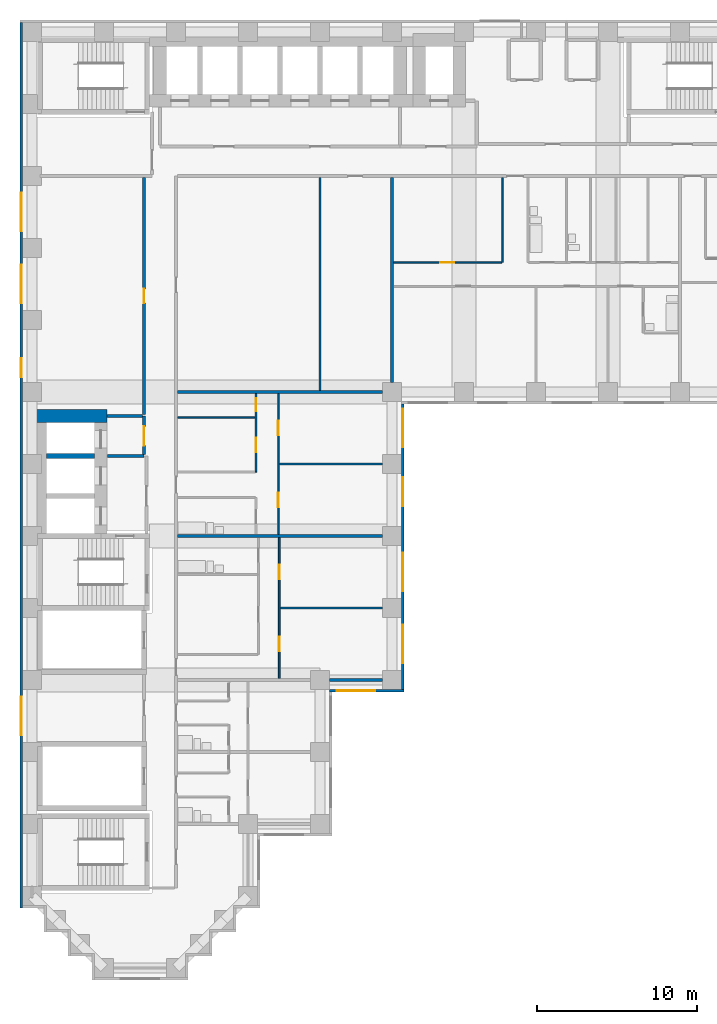
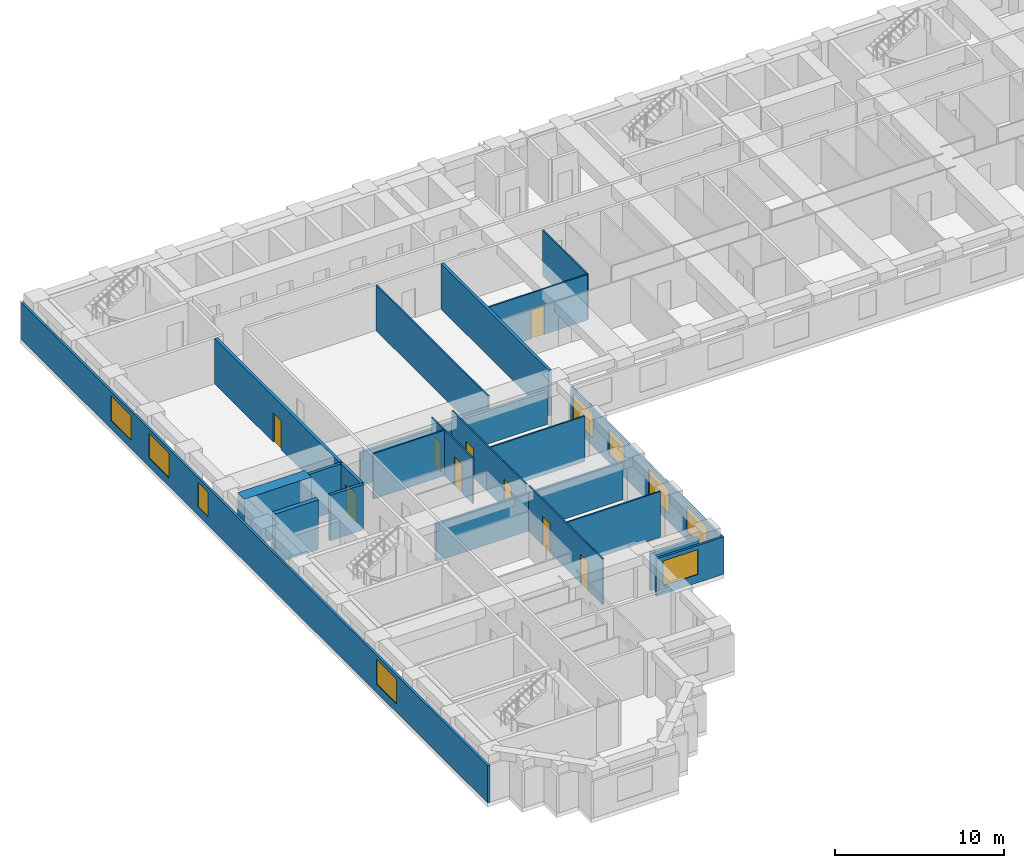
# One storey, part 4 of 12: 22 walls, 9 doors, 9 windows, 18 openings.
"""IFC4 building model written with IfcOpenShell, lengths in metres."""

from ifc_helpers import new_model, si_unit, direction, frame, frame_2d, origin, place, context, subcontext, project, spatial, rectangle, extrude, material, layer, layer_set, type_object, element, fill, save


model = new_model("IFC4")

# Units and contexts
model_context = context("Model", 3, precision=1e-05, world=origin(), true_north=direction((0.0, 1.0)))
body_context = subcontext(model_context, "Body", "Model", "MODEL_VIEW")
ifc_project = project(units=[si_unit("LENGTHUNIT", "METRE"), si_unit("AREAUNIT", "SQUARE_METRE"), si_unit("VOLUMEUNIT", "CUBIC_METRE"), si_unit("PLANEANGLEUNIT", "RADIAN"), si_unit("MASSUNIT", "GRAM", prefix="KILO")], contexts=[model_context])

# Site, building, storey
site_placement = place(None, origin())
site = spatial("IfcSite", under=ifc_project, at=site_placement, CompositionType="ELEMENT")
building_placement = place(site_placement, origin())
building = spatial("IfcBuilding", under=site, at=building_placement, Name="Firuza Court", CompositionType="ELEMENT")
storey_placement = place(building_placement, frame((0.0, 0.0, 36.199951171875)))
storey = spatial("IfcBuildingStorey", under=building, at=storey_placement, Name="L07", CompositionType="ELEMENT", Elevation=36.199951171875)

# Walls
ifc_material_1 = material(Name="Concrete C60/75", Category="concrete")
ifc_layer_1 = layer(ifc_material_1, 0.300048828125)
ifc_layer_set_1 = layer_set([ifc_layer_1], Name="Concrete C60/75")
wall_type_1 = type_object("IfcWallType", Name="Core wall 300 C60/75", PredefinedType="SHEAR", material=ifc_layer_set_1)
wall_1_placement = place(storey_placement, frame((0.89990234375, 32.0, -0.300048828125), z_axis=(0.0, 0.0, 1.0), x_axis=(1.0, 0.0, 0.0)))
element("IfcWall", 1, at=wall_1_placement, inside=storey, type_object=wall_type_1, Name="Core wall lift shaft L07", PredefinedType="SHEAR", context=body_context, shape_type="SweptSolid", body=[
    extrude(rectangle(XDim=3.0, YDim=0.300048828125, at=frame_2d((1.5, 0.0))), origin(), (0.0, 0.0, 1.0), 3.60009765625),
])
ifc_layer_2 = layer(ifc_material_1, 0.800048828125)
ifc_layer_set_2 = layer_set([ifc_layer_2], Name="Concrete C60/75")
wall_type_2 = type_object("IfcWallType", Name="Core wall 800 C60/75", PredefinedType="SHEAR", material=ifc_layer_set_2)
wall_2_placement = place(storey_placement, frame((0.10009765625, 34.5, -0.300048828125), z_axis=(0.0, 0.0, 1.0), x_axis=(1.0, 0.0, 0.0)))
element("IfcWall", 2, at=wall_2_placement, inside=storey, type_object=wall_type_2, Name="Core wall lift shaft L07", PredefinedType="SHEAR", context=body_context, shape_type="SweptSolid", body=[
    extrude(rectangle(XDim=4.599853515625, YDim=0.800048828125, at=frame_2d((2.2998046875, 0.0))), origin(), (0.0, 0.0, 1.0), 3.60009765625),
])

# Wall, opening, door
ifc_material_2 = material(Name="Blockwork, plastered both sides", Category="masonry")
ifc_layer_3 = layer(ifc_material_2, 0.199951171875)
ifc_layer_set_3 = layer_set([ifc_layer_3], Name="Blockwork, plastered both sides")
wall_type_3 = type_object("IfcWallType", Name="Corridor wall 200", PredefinedType="PARTITIONING", material=ifc_layer_set_3)
wall_3_placement = place(storey_placement, frame((7.0, 34.60009765625, 0.0), z_axis=(0.0, 0.0, 1.0), x_axis=(0.0, 1.0, 0.0)))
wall_3 = element("IfcWall", 3, at=wall_3_placement, inside=storey, type_object=wall_type_3, Name="Corridor wall 200 L07", PredefinedType="PARTITIONING", context=body_context, shape_type="SweptSolid", body=[
    extrude(rectangle(XDim=14.7998046875, YDim=0.199951171875, at=frame_2d((7.39990234375, 0.0))), origin(), (0.0, 0.0, 1.0), 3.300048828125),
])
opening_1_placement = place(wall_3_placement, frame((6.949951171875, 0.0, 0.0)))
opening_1 = element("IfcOpeningElement", 4, at=opening_1_placement, cuts=wall_3, Name="Opening D07041", PredefinedType="OPENING", context=body_context, shape_type="SweptSolid", body=[
    extrude(rectangle(XDim=0.89990234375, YDim=2.10009765625, at=frame_2d((0.449951171875, 1.050048828125))), frame((0.0, 0.11181640625, 0.0), z_axis=(0.0, -1.0, 0.0), x_axis=(1.0, 0.0, 0.0)), (0.0, 0.0, 1.0), 0.223876953125),
])
ifc_material_3 = material(Name="Timber door leaf in hardwood frame", Category="wood")
door_type_1 = type_object("IfcDoorType", Name="Room door 900 EI 30", OperationType="SINGLE_SWING_LEFT", PredefinedType="DOOR", material=ifc_material_3)
door_1_placement = place(opening_1_placement, origin())
door_1 = element("IfcDoor", 5, at=door_1_placement, inside=storey, type_object=door_type_1, Name="Residents' workroom door", OperationType="SINGLE_SWING_LEFT", OverallHeight=2.10009765625, OverallWidth=0.89990234375, PredefinedType="DOOR", context=body_context, shape_type="SweptSolid", body=[
    extrude(rectangle(XDim=0.89990234375, YDim=2.10009765625, at=frame_2d((0.449951171875, 1.050048828125))), frame((0.0, 0.02490234375, 0.0), z_axis=(0.0, -1.0, 0.0), x_axis=(1.0, 0.0, 0.0)), (0.0, 0.0, 1.0), 0.050048828125),
])
fill(opening_1, door_1)

# Wall, openings, doors
ifc_material_4 = material(Name="Timber stud partition, plasterboard both sides", Category="wood")
ifc_layer_4 = layer(ifc_material_4, 0.10009765625)
ifc_layer_set_4 = layer_set([ifc_layer_4], Name="Timber stud partition, plasterboard both sides")
wall_type_4 = type_object("IfcWallType", Name="Partition wall 100", PredefinedType="PARTITIONING", material=ifc_layer_set_4)
wall_4_placement = place(storey_placement, frame((15.449951171875, 18.10009765625, 0.0), z_axis=(0.0, 0.0, 1.0), x_axis=(0.0, 1.0, 0.0)))
wall_4 = element("IfcWall", 6, at=wall_4_placement, inside=storey, type_object=wall_type_4, Name="Partition wall 100 L07", PredefinedType="PARTITIONING", context=body_context, shape_type="SweptSolid", body=[
    extrude(rectangle(XDim=8.7998046875, YDim=0.10009765625, at=frame_2d((4.39990234375, 0.0))), origin(), (0.0, 0.0, 1.0), 3.300048828125),
])
opening_2_placement = place(wall_4_placement, frame((1.699951171875, 0.0, 0.0)))
opening_2 = element("IfcOpeningElement", 7, at=opening_2_placement, cuts=wall_4, Name="Opening D07032", PredefinedType="OPENING", context=body_context, shape_type="SweptSolid", body=[
    extrude(rectangle(XDim=0.89990234375, YDim=2.10009765625, at=frame_2d((0.449951171875, 1.050048828125))), frame((0.0, 0.06201171875, 0.0), z_axis=(0.0, -1.0, 0.0), x_axis=(1.0, 0.0, 0.0)), (0.0, 0.0, 1.0), 0.1240234375),
])
opening_3_placement = place(wall_4_placement, frame((6.199951171875, 0.0, 0.0)))
opening_3 = element("IfcOpeningElement", 8, at=opening_3_placement, cuts=wall_4, Name="Opening D07033", PredefinedType="OPENING", context=body_context, shape_type="SweptSolid", body=[
    extrude(rectangle(XDim=0.89990234375, YDim=2.10009765625, at=frame_2d((0.449951171875, 1.050048828125))), frame((0.0, 0.06201171875, 0.0), z_axis=(0.0, -1.0, 0.0), x_axis=(1.0, 0.0, 0.0)), (0.0, 0.0, 1.0), 0.1240234375),
])
ifc_material_5 = material(Name="Timber door leaf in hardwood frame", Category="wood")
door_type_2 = type_object("IfcDoorType", Name="Room door 900", OperationType="SINGLE_SWING_LEFT", PredefinedType="DOOR", material=ifc_material_5)
door_2_placement = place(opening_2_placement, frame((0.89990234375, 0.0, 0.0), z_axis=(0.0, 0.0, 1.0), x_axis=(-1.0, 0.0, 0.0)))
door_2 = element("IfcDoor", 9, at=door_2_placement, inside=storey, type_object=door_type_2, Name="Bedroom door", OperationType="SINGLE_SWING_RIGHT", OverallHeight=2.10009765625, OverallWidth=0.89990234375, PredefinedType="DOOR", context=body_context, shape_type="SweptSolid", body=[
    extrude(rectangle(XDim=0.89990234375, YDim=2.10009765625, at=frame_2d((0.449951171875, 1.050048828125))), frame((0.0, 0.02490234375, 0.0), z_axis=(0.0, -1.0, 0.0), x_axis=(1.0, 0.0, 0.0)), (0.0, 0.0, 1.0), 0.050048828125),
])
fill(opening_2, door_2)
door_3_placement = place(opening_3_placement, frame((0.89990234375, 0.0, 0.0), z_axis=(0.0, 0.0, 1.0), x_axis=(-1.0, 0.0, 0.0)))
door_3 = element("IfcDoor", 10, at=door_3_placement, inside=storey, type_object=door_type_2, Name="Living room door", OperationType="SINGLE_SWING_RIGHT", OverallHeight=2.10009765625, OverallWidth=0.89990234375, PredefinedType="DOOR", context=body_context, shape_type="SweptSolid", body=[
    extrude(rectangle(XDim=0.89990234375, YDim=2.10009765625, at=frame_2d((0.449951171875, 1.050048828125))), frame((0.0, 0.02490234375, 0.0), z_axis=(0.0, -1.0, 0.0), x_axis=(1.0, 0.0, 0.0)), (0.0, 0.0, 1.0), 0.050048828125),
])
fill(opening_3, door_3)

# Wall
wall_5_placement = place(storey_placement, frame((15.5, 22.5, 0.0), z_axis=(0.0, 0.0, 1.0), x_axis=(1.0, 0.0, 0.0)))
element("IfcWall", 11, at=wall_5_placement, inside=storey, type_object=wall_type_4, Name="Partition wall 100 L07", PredefinedType="PARTITIONING", context=body_context, shape_type="SweptSolid", body=[
    extrude(rectangle(XDim=6.39990234375, YDim=0.10009765625, at=frame_2d((3.199951171875, 0.0))), origin(), (0.0, 0.0, 1.0), 3.300048828125),
])

# Wall, openings, doors
wall_6_placement = place(storey_placement, frame((15.39990234375, 27.10009765625, 0.0), z_axis=(0.0, 0.0, 1.0), x_axis=(0.0, 1.0, 0.0)))
wall_6 = element("IfcWall", 12, at=wall_6_placement, inside=storey, type_object=wall_type_4, Name="Partition wall 100 L07", PredefinedType="PARTITIONING", context=body_context, shape_type="SweptSolid", body=[
    extrude(rectangle(XDim=8.7998046875, YDim=0.10009765625, at=frame_2d((4.39990234375, 0.0))), origin(), (0.0, 0.0, 1.0), 3.300048828125),
])
opening_4_placement = place(wall_6_placement, frame((1.699951171875, 0.0, 0.0)))
opening_4 = element("IfcOpeningElement", 13, at=opening_4_placement, cuts=wall_6, Name="Opening D07037", PredefinedType="OPENING", context=body_context, shape_type="SweptSolid", body=[
    extrude(rectangle(XDim=0.89990234375, YDim=2.10009765625, at=frame_2d((0.449951171875, 1.050048828125))), frame((0.0, 0.06201171875, 0.0), z_axis=(0.0, -1.0, 0.0), x_axis=(1.0, 0.0, 0.0)), (0.0, 0.0, 1.0), 0.1240234375),
])
opening_5_placement = place(wall_6_placement, frame((6.199951171875, 0.0, 0.0)))
opening_5 = element("IfcOpeningElement", 14, at=opening_5_placement, cuts=wall_6, Name="Opening D07038", PredefinedType="OPENING", context=body_context, shape_type="SweptSolid", body=[
    extrude(rectangle(XDim=0.89990234375, YDim=2.10009765625, at=frame_2d((0.449951171875, 1.050048828125))), frame((0.0, 0.06201171875, 0.0), z_axis=(0.0, -1.0, 0.0), x_axis=(1.0, 0.0, 0.0)), (0.0, 0.0, 1.0), 0.1240234375),
])
door_4_placement = place(opening_4_placement, frame((0.89990234375, 0.0, 0.0), z_axis=(0.0, 0.0, 1.0), x_axis=(-1.0, 0.0, 0.0)))
door_4 = element("IfcDoor", 15, at=door_4_placement, inside=storey, type_object=door_type_2, Name="Bedroom door", OperationType="SINGLE_SWING_RIGHT", OverallHeight=2.10009765625, OverallWidth=0.89990234375, PredefinedType="DOOR", context=body_context, shape_type="SweptSolid", body=[
    extrude(rectangle(XDim=0.89990234375, YDim=2.10009765625, at=frame_2d((0.449951171875, 1.050048828125))), frame((0.0, 0.02490234375, 0.0), z_axis=(0.0, -1.0, 0.0), x_axis=(1.0, 0.0, 0.0)), (0.0, 0.0, 1.0), 0.050048828125),
])
fill(opening_4, door_4)
door_5_placement = place(opening_5_placement, frame((0.89990234375, 0.0, 0.0), z_axis=(0.0, 0.0, 1.0), x_axis=(-1.0, 0.0, 0.0)))
door_5 = element("IfcDoor", 16, at=door_5_placement, inside=storey, type_object=door_type_2, Name="Living room door", OperationType="SINGLE_SWING_RIGHT", OverallHeight=2.10009765625, OverallWidth=0.89990234375, PredefinedType="DOOR", context=body_context, shape_type="SweptSolid", body=[
    extrude(rectangle(XDim=0.89990234375, YDim=2.10009765625, at=frame_2d((0.449951171875, 1.050048828125))), frame((0.0, 0.02490234375, 0.0), z_axis=(0.0, -1.0, 0.0), x_axis=(1.0, 0.0, 0.0)), (0.0, 0.0, 1.0), 0.050048828125),
])
fill(opening_5, door_5)

wall_7_placement = place(storey_placement, frame((14.0, 31.0, 0.0), z_axis=(0.0, 0.0, 1.0), x_axis=(0.0, 1.0, 0.0)))
wall_7 = element("IfcWall", 17, at=wall_7_placement, inside=storey, type_object=wall_type_4, Name="Partition wall 100 L07", PredefinedType="PARTITIONING", context=body_context, shape_type="SweptSolid", body=[
    extrude(rectangle(XDim=4.89990234375, YDim=0.10009765625, at=frame_2d((2.449951171875, 0.0))), origin(), (0.0, 0.0, 1.0), 3.300048828125),
])
opening_6_placement = place(wall_7_placement, frame((1.25, 0.0, 0.0)))
opening_6 = element("IfcOpeningElement", 18, at=opening_6_placement, cuts=wall_7, Name="Opening D07039", PredefinedType="OPENING", context=body_context, shape_type="SweptSolid", body=[
    extrude(rectangle(XDim=0.89990234375, YDim=2.10009765625, at=frame_2d((0.449951171875, 1.050048828125))), frame((0.0, 0.06201171875, 0.0), z_axis=(0.0, -1.0, 0.0), x_axis=(1.0, 0.0, 0.0)), (0.0, 0.0, 1.0), 0.1240234375),
])
opening_7_placement = place(wall_7_placement, frame((3.800048828125, 0.0, 0.0)))
opening_7 = element("IfcOpeningElement", 19, at=opening_7_placement, cuts=wall_7, Name="Opening D07040", PredefinedType="OPENING", context=body_context, shape_type="SweptSolid", body=[
    extrude(rectangle(XDim=0.800048828125, YDim=2.10009765625, at=frame_2d((0.39990234375, 1.050048828125))), frame((0.0, 0.06201171875, 0.0), z_axis=(0.0, -1.0, 0.0), x_axis=(1.0, 0.0, 0.0)), (0.0, 0.0, 1.0), 0.1240234375),
])
ifc_material_6 = material(Name="Timber door leaf in hardwood frame", Category="wood")
door_type_3 = type_object("IfcDoorType", Name="Room door 800", OperationType="SINGLE_SWING_LEFT", PredefinedType="DOOR", material=ifc_material_6)
door_6_placement = place(opening_7_placement, origin())
door_6 = element("IfcDoor", 20, at=door_6_placement, inside=storey, type_object=door_type_3, Name="Store door", OperationType="SINGLE_SWING_LEFT", OverallHeight=2.10009765625, OverallWidth=0.800048828125, PredefinedType="DOOR", context=body_context, shape_type="SweptSolid", body=[
    extrude(rectangle(XDim=0.800048828125, YDim=2.10009765625, at=frame_2d((0.39990234375, 1.050048828125))), frame((0.0, 0.02490234375, 0.0), z_axis=(0.0, -1.0, 0.0), x_axis=(1.0, 0.0, 0.0)), (0.0, 0.0, 1.0), 0.050048828125),
])
fill(opening_7, door_6)
door_7_placement = place(opening_6_placement, origin())
door_7 = element("IfcDoor", 21, at=door_7_placement, inside=storey, type_object=door_type_2, Name="Kitchen door", OperationType="SINGLE_SWING_LEFT", OverallHeight=2.10009765625, OverallWidth=0.89990234375, PredefinedType="DOOR", context=body_context, shape_type="SweptSolid", body=[
    extrude(rectangle(XDim=0.89990234375, YDim=2.10009765625, at=frame_2d((0.449951171875, 1.050048828125))), frame((0.0, 0.02490234375, 0.0), z_axis=(0.0, -1.0, 0.0), x_axis=(1.0, 0.0, 0.0)), (0.0, 0.0, 1.0), 0.050048828125),
])
fill(opening_6, door_7)

# Walls
wall_8_placement = place(storey_placement, frame((15.449951171875, 31.5, 0.0), z_axis=(0.0, 0.0, 1.0), x_axis=(1.0, 0.0, 0.0)))
element("IfcWall", 22, at=wall_8_placement, inside=storey, type_object=wall_type_4, Name="Partition wall 100 L07", PredefinedType="PARTITIONING", context=body_context, shape_type="SweptSolid", body=[
    extrude(rectangle(XDim=6.449951171875, YDim=0.10009765625, at=frame_2d((3.22509765625, 0.0))), origin(), (0.0, 0.0, 1.0), 3.300048828125),
])
wall_9_placement = place(storey_placement, frame((9.10009765625, 34.39990234375, 0.0), z_axis=(0.0, 0.0, 1.0), x_axis=(1.0, 0.0, 0.0)))
element("IfcWall", 23, at=wall_9_placement, inside=storey, type_object=wall_type_4, Name="Partition wall 100 L07", PredefinedType="PARTITIONING", context=body_context, shape_type="SweptSolid", body=[
    extrude(rectangle(XDim=4.849853515625, YDim=0.10009765625, at=frame_2d((2.4248046875, 0.0))), origin(), (0.0, 0.0, 1.0), 3.300048828125),
])
wall_10_placement = place(storey_placement, frame((18.0, 36.10009765625, 0.0), z_axis=(0.0, 0.0, 1.0), x_axis=(0.0, 1.0, 0.0)))
element("IfcWall", 24, at=wall_10_placement, inside=storey, type_object=wall_type_4, Name="Partition wall 100 L07", PredefinedType="PARTITIONING", context=body_context, shape_type="SweptSolid", body=[
    extrude(rectangle(XDim=13.2998046875, YDim=0.10009765625, at=frame_2d((6.64990234375, 0.0))), origin(), (0.0, 0.0, 1.0), 3.300048828125),
])

# Wall, opening, door
wall_11_placement = place(storey_placement, frame((22.60009765625, 44.10009765625, 0.0), z_axis=(0.0, 0.0, 1.0), x_axis=(1.0, 0.0, 0.0)))
wall_11 = element("IfcWall", 25, at=wall_11_placement, inside=storey, type_object=wall_type_4, Name="Partition wall 100 L07", PredefinedType="PARTITIONING", context=body_context, shape_type="SweptSolid", body=[
    extrude(rectangle(XDim=6.75, YDim=0.10009765625, at=frame_2d((3.375, 0.0))), origin(), (0.0, 0.0, 1.0), 3.300048828125),
])
opening_8_placement = place(wall_11_placement, frame((2.89990234375, 0.0, 0.0)))
opening_8 = element("IfcOpeningElement", 26, at=opening_8_placement, cuts=wall_11, Name="Opening D07051", PredefinedType="OPENING", context=body_context, shape_type="SweptSolid", body=[
    extrude(rectangle(XDim=0.89990234375, YDim=2.10009765625, at=frame_2d((0.449951171875, 1.050048828125))), frame((0.0, 0.06201171875, 0.0), z_axis=(0.0, -1.0, 0.0), x_axis=(1.0, 0.0, 0.0)), (0.0, 0.0, 1.0), 0.1240234375),
])
door_8_placement = place(opening_8_placement, origin())
door_8 = element("IfcDoor", 27, at=door_8_placement, inside=storey, type_object=door_type_2, Name="Kitchen door", OperationType="SINGLE_SWING_LEFT", OverallHeight=2.10009765625, OverallWidth=0.89990234375, PredefinedType="DOOR", context=body_context, shape_type="SweptSolid", body=[
    extrude(rectangle(XDim=0.89990234375, YDim=2.10009765625, at=frame_2d((0.449951171875, 1.050048828125))), frame((0.0, 0.02490234375, 0.0), z_axis=(0.0, -1.0, 0.0), x_axis=(1.0, 0.0, 0.0)), (0.0, 0.0, 1.0), 0.050048828125),
])
fill(opening_8, door_8)

# Walls
wall_12_placement = place(storey_placement, frame((29.39990234375, 44.10009765625, 0.0), z_axis=(0.0, 0.0, 1.0), x_axis=(0.0, 1.0, 0.0)))
element("IfcWall", 28, at=wall_12_placement, inside=storey, type_object=wall_type_4, Name="Partition wall 100 L07", PredefinedType="PARTITIONING", context=body_context, shape_type="SweptSolid", body=[
    extrude(rectangle(XDim=5.2998046875, YDim=0.10009765625, at=frame_2d((2.64990234375, 0.0))), origin(), (0.0, 0.0, 1.0), 3.300048828125),
])
ifc_layer_5 = layer(ifc_material_2, 0.199951171875)
ifc_layer_set_5 = layer_set([ifc_layer_5], Name="Blockwork, plastered both sides")
wall_type_5 = type_object("IfcWallType", Name="Party wall 200", PredefinedType="PARTITIONING", material=ifc_layer_set_5)
wall_13_placement = place(storey_placement, frame((18.60009765625, 18.0, 0.0), z_axis=(0.0, 0.0, 1.0), x_axis=(1.0, 0.0, 0.0)))
element("IfcWall", 29, at=wall_13_placement, inside=storey, type_object=wall_type_5, Name="Party wall 200 L07", PredefinedType="PARTITIONING", context=body_context, shape_type="SweptSolid", body=[
    extrude(rectangle(XDim=3.2998046875, YDim=0.199951171875, at=frame_2d((1.64990234375, 0.0))), origin(), (0.0, 0.0, 1.0), 2.699951171875),
])
wall_14_placement = place(storey_placement, frame((9.10009765625, 27.0, 0.0), z_axis=(0.0, 0.0, 1.0), x_axis=(1.0, 0.0, 0.0)))
element("IfcWall", 30, at=wall_14_placement, inside=storey, type_object=wall_type_5, Name="Party wall 200 L07", PredefinedType="PARTITIONING", context=body_context, shape_type="SweptSolid", body=[
    extrude(rectangle(XDim=12.7998046875, YDim=0.199951171875, at=frame_2d((6.39990234375, 0.0))), origin(), (0.0, 0.0, 1.0), 2.699951171875),
])
wall_15_placement = place(storey_placement, frame((9.10009765625, 36.0, 0.0), z_axis=(0.0, 0.0, 1.0), x_axis=(1.0, 0.0, 0.0)))
element("IfcWall", 31, at=wall_15_placement, inside=storey, type_object=wall_type_5, Name="Party wall 200 L07", PredefinedType="PARTITIONING", context=body_context, shape_type="SweptSolid", body=[
    extrude(rectangle(XDim=12.7998046875, YDim=0.199951171875, at=frame_2d((6.39990234375, 0.0))), origin(), (0.0, 0.0, 1.0), 2.400146484375),
])
wall_16_placement = place(storey_placement, frame((22.5, 36.60009765625, 0.0), z_axis=(0.0, 0.0, 1.0), x_axis=(0.0, 1.0, 0.0)))
element("IfcWall", 32, at=wall_16_placement, inside=storey, type_object=wall_type_5, Name="Party wall 200 L07", PredefinedType="PARTITIONING", context=body_context, shape_type="SweptSolid", body=[
    extrude(rectangle(XDim=12.7998046875, YDim=0.199951171875, at=frame_2d((6.39990234375, 0.0))), origin(), (0.0, 0.0, 1.0), 3.300048828125),
])

# Wall, opening, window
ifc_material_7 = material(Name="Ceramic tile", Category="ceramic")
ifc_layer_6 = layer(ifc_material_7, 0.02001953125)
ifc_material_8 = material(Name="Mineral wool insulation", Category="insulation")
ifc_layer_7 = layer(ifc_material_8, 0.050048828125)
ifc_material_9 = material(Name="Concrete C40/50 precast", Category="concrete")
ifc_layer_8 = layer(ifc_material_9, 0.080078125)
ifc_layer_set_6 = layer_set([ifc_layer_6, ifc_layer_7, ifc_layer_8], Name="Concrete C40/50 precast")
wall_type_6 = type_object("IfcWallType", Name="Precast cladding wall with turquoise TILE PANEL face 150", PredefinedType="STANDARD", material=ifc_layer_set_6)
wall_17_placement = place(storey_placement, frame((18.60009765625, 17.324951171875, 0.0), z_axis=(0.0, 0.0, 1.0), x_axis=(1.0, 0.0, 0.0)))
wall_17 = element("IfcWall", 33, at=wall_17_placement, inside=storey, type_object=wall_type_6, Name="Facade wall L07 S", PredefinedType="STANDARD", context=body_context, shape_type="SweptSolid", body=[
    extrude(rectangle(XDim=4.64990234375, YDim=0.14990234375, at=frame_2d((2.324951171875, 0.0))), origin(), (0.0, 0.0, 1.0), 2.699951171875),
])
opening_9_placement = place(wall_17_placement, frame((0.449951171875, 0.0, 0.60009765625)))
opening_9 = element("IfcOpeningElement", 34, at=opening_9_placement, cuts=wall_17, Name="Opening W1", PredefinedType="OPENING", context=body_context, shape_type="SweptSolid", body=[
    extrude(rectangle(XDim=2.39990234375, YDim=1.800048828125, at=frame_2d((1.199951171875, 0.89990234375))), frame((0.0, 0.0869140625, 0.0), z_axis=(0.0, -1.0, 0.0), x_axis=(1.0, 0.0, 0.0)), (0.0, 0.0, 1.0), 0.173828125),
])
ifc_material_10 = material(Name="Aluminium frame, triple clear glazing", Category="aluminium")
window_type_1 = type_object("IfcWindowType", Name="Window W1 2400 x 1800", PartitioningType="SINGLE_PANEL", PredefinedType="WINDOW", material=ifc_material_10)
window_1_placement = place(opening_9_placement, origin())
window_1 = element("IfcWindow", 35, at=window_1_placement, inside=storey, type_object=window_type_1, Name="Window L07", OverallHeight=1.800048828125, OverallWidth=2.39990234375, PartitioningType="SINGLE_PANEL", PredefinedType="WINDOW", context=body_context, shape_type="SweptSolid", body=[
    extrude(rectangle(XDim=2.39990234375, YDim=1.800048828125, at=frame_2d((1.199951171875, 0.89990234375))), frame((0.0, 0.030029296875, 0.0), z_axis=(0.0, -1.0, 0.0), x_axis=(1.0, 0.0, 0.0)), (0.0, 0.0, 1.0), 0.06005859375),
])
fill(opening_9, window_1)

# Wall, openings, windows
wall_18_placement = place(storey_placement, frame((23.175048828125, 17.39990234375, 0.0), z_axis=(0.0, 0.0, 1.0), x_axis=(0.0, 1.0, 0.0)))
wall_18 = element("IfcWall", 36, at=wall_18_placement, inside=storey, type_object=wall_type_6, Name="Facade wall L07 E", PredefinedType="STANDARD", context=body_context, shape_type="SweptSolid", body=[
    extrude(rectangle(XDim=17.85009765625, YDim=0.14990234375, at=frame_2d((8.925048828125, 0.0))), origin(), (0.0, 0.0, 1.0), 2.699951171875),
])
opening_10_placement = place(wall_18_placement, frame((1.64990234375, 0.0, 0.60009765625)))
opening_10 = element("IfcOpeningElement", 37, at=opening_10_placement, cuts=wall_18, Name="Opening W1", PredefinedType="OPENING", context=body_context, shape_type="SweptSolid", body=[
    extrude(rectangle(XDim=2.39990234375, YDim=1.800048828125, at=frame_2d((1.199951171875, 0.89990234375))), frame((0.0, 0.0869140625, 0.0), z_axis=(0.0, -1.0, 0.0), x_axis=(1.0, 0.0, 0.0)), (0.0, 0.0, 1.0), 0.173828125),
])
opening_11_placement = place(wall_18_placement, frame((6.14990234375, 0.0, 0.60009765625)))
opening_11 = element("IfcOpeningElement", 38, at=opening_11_placement, cuts=wall_18, Name="Opening W1", PredefinedType="OPENING", context=body_context, shape_type="SweptSolid", body=[
    extrude(rectangle(XDim=2.39990234375, YDim=1.800048828125, at=frame_2d((1.199951171875, 0.89990234375))), frame((0.0, 0.0869140625, 0.0), z_axis=(0.0, -1.0, 0.0), x_axis=(1.0, 0.0, 0.0)), (0.0, 0.0, 1.0), 0.173828125),
])
opening_12_placement = place(wall_18_placement, frame((11.464599609375, 0.0, 0.60009765625)))
opening_12 = element("IfcOpeningElement", 39, at=opening_12_placement, cuts=wall_18, Name="Opening W7", PredefinedType="OPENING", context=body_context, shape_type="SweptSolid", body=[
    extrude(rectangle(XDim=1.800048828125, YDim=1.800048828125, at=frame_2d((0.89990234375, 0.89990234375))), frame((0.0, 0.0869140625, 0.0), z_axis=(0.0, -1.0, 0.0), x_axis=(1.0, 0.0, 0.0)), (0.0, 0.0, 1.0), 0.173828125),
])
opening_13_placement = place(wall_18_placement, frame((15.14990234375, 0.0, 0.60009765625)))
opening_13 = element("IfcOpeningElement", 40, at=opening_13_placement, cuts=wall_18, Name="Opening W1", PredefinedType="OPENING", context=body_context, shape_type="SweptSolid", body=[
    extrude(rectangle(XDim=2.39990234375, YDim=1.800048828125, at=frame_2d((1.199951171875, 0.89990234375))), frame((0.0, 0.0869140625, 0.0), z_axis=(0.0, -1.0, 0.0), x_axis=(1.0, 0.0, 0.0)), (0.0, 0.0, 1.0), 0.173828125),
])
window_2_placement = place(opening_10_placement, origin())
window_2 = element("IfcWindow", 41, at=window_2_placement, inside=storey, type_object=window_type_1, Name="Window L07", OverallHeight=1.800048828125, OverallWidth=2.39990234375, PartitioningType="SINGLE_PANEL", PredefinedType="WINDOW", context=body_context, shape_type="SweptSolid", body=[
    extrude(rectangle(XDim=2.39990234375, YDim=1.800048828125, at=frame_2d((1.199951171875, 0.89990234375))), frame((0.0, 0.030029296875, 0.0), z_axis=(0.0, -1.0, 0.0), x_axis=(1.0, 0.0, 0.0)), (0.0, 0.0, 1.0), 0.06005859375),
])
fill(opening_10, window_2)
window_3_placement = place(opening_11_placement, origin())
window_3 = element("IfcWindow", 42, at=window_3_placement, inside=storey, type_object=window_type_1, Name="Window L07", OverallHeight=1.800048828125, OverallWidth=2.39990234375, PartitioningType="SINGLE_PANEL", PredefinedType="WINDOW", context=body_context, shape_type="SweptSolid", body=[
    extrude(rectangle(XDim=2.39990234375, YDim=1.800048828125, at=frame_2d((1.199951171875, 0.89990234375))), frame((0.0, 0.030029296875, 0.0), z_axis=(0.0, -1.0, 0.0), x_axis=(1.0, 0.0, 0.0)), (0.0, 0.0, 1.0), 0.06005859375),
])
fill(opening_11, window_3)
window_4_placement = place(opening_13_placement, origin())
window_4 = element("IfcWindow", 43, at=window_4_placement, inside=storey, type_object=window_type_1, Name="Window L07", OverallHeight=1.800048828125, OverallWidth=2.39990234375, PartitioningType="SINGLE_PANEL", PredefinedType="WINDOW", context=body_context, shape_type="SweptSolid", body=[
    extrude(rectangle(XDim=2.39990234375, YDim=1.800048828125, at=frame_2d((1.199951171875, 0.89990234375))), frame((0.0, 0.030029296875, 0.0), z_axis=(0.0, -1.0, 0.0), x_axis=(1.0, 0.0, 0.0)), (0.0, 0.0, 1.0), 0.06005859375),
])
fill(opening_13, window_4)
ifc_material_11 = material(Name="Aluminium frame, triple clear glazing", Category="aluminium")
window_type_2 = type_object("IfcWindowType", Name="Window W7 1800 x 1800", PartitioningType="SINGLE_PANEL", PredefinedType="WINDOW", material=ifc_material_11)
window_5_placement = place(opening_12_placement, origin())
window_5 = element("IfcWindow", 44, at=window_5_placement, inside=storey, type_object=window_type_2, Name="Window L07", OverallHeight=1.800048828125, OverallWidth=1.800048828125, PartitioningType="SINGLE_PANEL", PredefinedType="WINDOW", context=body_context, shape_type="SweptSolid", body=[
    extrude(rectangle(XDim=1.800048828125, YDim=1.800048828125, at=frame_2d((0.89990234375, 0.89990234375))), frame((0.0, 0.030029296875, 0.0), z_axis=(0.0, -1.0, 0.0), x_axis=(1.0, 0.0, 0.0)), (0.0, 0.0, 1.0), 0.06005859375),
])
fill(opening_12, window_5)

wall_19_placement = place(storey_placement, frame((-0.675048828125, 59.10009765625, 0.0), z_axis=(0.0, 0.0, 1.0), x_axis=(0.0, -1.0, 0.0)))
wall_19 = element("IfcWall", 45, at=wall_19_placement, inside=storey, type_object=wall_type_6, Name="Facade wall L07 W", PredefinedType="STANDARD", context=body_context, shape_type="SweptSolid", body=[
    extrude(rectangle(XDim=55.35009765625, YDim=0.14990234375, at=frame_2d((27.675048828125, 0.0))), origin(), (0.0, 0.0, 1.0), 2.699951171875),
])
opening_14_placement = place(wall_19_placement, frame((10.64990234375, 0.0, 0.60009765625)))
opening_14 = element("IfcOpeningElement", 46, at=opening_14_placement, cuts=wall_19, Name="Opening W1", PredefinedType="OPENING", context=body_context, shape_type="SweptSolid", body=[
    extrude(rectangle(XDim=2.39990234375, YDim=1.800048828125, at=frame_2d((1.199951171875, 0.89990234375))), frame((0.0, 0.0869140625, 0.0), z_axis=(0.0, -1.0, 0.0), x_axis=(1.0, 0.0, 0.0)), (0.0, 0.0, 1.0), 0.173828125),
])
opening_15_placement = place(wall_19_placement, frame((15.14990234375, 0.0, 0.60009765625)))
opening_15 = element("IfcOpeningElement", 47, at=opening_15_placement, cuts=wall_19, Name="Opening W1", PredefinedType="OPENING", context=body_context, shape_type="SweptSolid", body=[
    extrude(rectangle(XDim=2.39990234375, YDim=1.800048828125, at=frame_2d((1.199951171875, 0.89990234375))), frame((0.0, 0.0869140625, 0.0), z_axis=(0.0, -1.0, 0.0), x_axis=(1.0, 0.0, 0.0)), (0.0, 0.0, 1.0), 0.173828125),
])
opening_16_placement = place(wall_19_placement, frame((20.976806640625, 0.0, 0.60009765625)))
opening_16 = element("IfcOpeningElement", 48, at=opening_16_placement, cuts=wall_19, Name="Opening W8", PredefinedType="OPENING", context=body_context, shape_type="SweptSolid", body=[
    extrude(rectangle(XDim=1.199951171875, YDim=1.800048828125, at=frame_2d((0.60009765625, 0.89990234375))), frame((0.0, 0.0869140625, 0.0), z_axis=(0.0, -1.0, 0.0), x_axis=(1.0, 0.0, 0.0)), (0.0, 0.0, 1.0), 0.173828125),
])
opening_17_placement = place(wall_19_placement, frame((42.14990234375, 0.0, 0.60009765625)))
opening_17 = element("IfcOpeningElement", 49, at=opening_17_placement, cuts=wall_19, Name="Opening W1", PredefinedType="OPENING", context=body_context, shape_type="SweptSolid", body=[
    extrude(rectangle(XDim=2.39990234375, YDim=1.800048828125, at=frame_2d((1.199951171875, 0.89990234375))), frame((0.0, 0.0869140625, 0.0), z_axis=(0.0, -1.0, 0.0), x_axis=(1.0, 0.0, 0.0)), (0.0, 0.0, 1.0), 0.173828125),
])
window_6_placement = place(opening_14_placement, origin())
window_6 = element("IfcWindow", 50, at=window_6_placement, inside=storey, type_object=window_type_1, Name="Window L07", OverallHeight=1.800048828125, OverallWidth=2.39990234375, PartitioningType="SINGLE_PANEL", PredefinedType="WINDOW", context=body_context, shape_type="SweptSolid", body=[
    extrude(rectangle(XDim=2.39990234375, YDim=1.800048828125, at=frame_2d((1.199951171875, 0.89990234375))), frame((0.0, 0.030029296875, 0.0), z_axis=(0.0, -1.0, 0.0), x_axis=(1.0, 0.0, 0.0)), (0.0, 0.0, 1.0), 0.06005859375),
])
fill(opening_14, window_6)
window_7_placement = place(opening_15_placement, origin())
window_7 = element("IfcWindow", 51, at=window_7_placement, inside=storey, type_object=window_type_1, Name="Window L07", OverallHeight=1.800048828125, OverallWidth=2.39990234375, PartitioningType="SINGLE_PANEL", PredefinedType="WINDOW", context=body_context, shape_type="SweptSolid", body=[
    extrude(rectangle(XDim=2.39990234375, YDim=1.800048828125, at=frame_2d((1.199951171875, 0.89990234375))), frame((0.0, 0.030029296875, 0.0), z_axis=(0.0, -1.0, 0.0), x_axis=(1.0, 0.0, 0.0)), (0.0, 0.0, 1.0), 0.06005859375),
])
fill(opening_15, window_7)
window_8_placement = place(opening_17_placement, origin())
window_8 = element("IfcWindow", 52, at=window_8_placement, inside=storey, type_object=window_type_1, Name="Window L07", OverallHeight=1.800048828125, OverallWidth=2.39990234375, PartitioningType="SINGLE_PANEL", PredefinedType="WINDOW", context=body_context, shape_type="SweptSolid", body=[
    extrude(rectangle(XDim=2.39990234375, YDim=1.800048828125, at=frame_2d((1.199951171875, 0.89990234375))), frame((0.0, 0.030029296875, 0.0), z_axis=(0.0, -1.0, 0.0), x_axis=(1.0, 0.0, 0.0)), (0.0, 0.0, 1.0), 0.06005859375),
])
fill(opening_17, window_8)
ifc_material_12 = material(Name="Aluminium frame, triple clear glazing", Category="aluminium")
window_type_3 = type_object("IfcWindowType", Name="Window W8 1200 x 1800", PartitioningType="SINGLE_PANEL", PredefinedType="WINDOW", material=ifc_material_12)
window_9_placement = place(opening_16_placement, origin())
window_9 = element("IfcWindow", 53, at=window_9_placement, inside=storey, type_object=window_type_3, Name="Window L07", OverallHeight=1.800048828125, OverallWidth=1.199951171875, PartitioningType="SINGLE_PANEL", PredefinedType="WINDOW", context=body_context, shape_type="SweptSolid", body=[
    extrude(rectangle(XDim=1.199951171875, YDim=1.800048828125, at=frame_2d((0.60009765625, 0.89990234375))), frame((0.0, 0.030029296875, 0.0), z_axis=(0.0, -1.0, 0.0), x_axis=(1.0, 0.0, 0.0)), (0.0, 0.0, 1.0), 0.06005859375),
])
fill(opening_16, window_9)

# Wall
ifc_material_13 = material(Name="Blockwork, fire-rated", Category="masonry")
ifc_layer_9 = layer(ifc_material_13, 0.199951171875)
ifc_layer_set_7 = layer_set([ifc_layer_9], Name="Blockwork, fire-rated")
wall_type_7 = type_object("IfcWallType", Name="Shaft wall 200", PredefinedType="PARTITIONING", material=ifc_layer_set_7)
wall_20_placement = place(storey_placement, frame((4.719970703125, 32.0, 0.0), z_axis=(0.0, 0.0, 1.0), x_axis=(1.0, 0.0, 0.0)))
element("IfcWall", 54, at=wall_20_placement, inside=storey, type_object=wall_type_7, Name="Shaft wall 200 L07", PredefinedType="PARTITIONING", context=body_context, shape_type="SweptSolid", body=[
    extrude(rectangle(XDim=2.280029296875, YDim=0.199951171875, at=frame_2d((1.14013671875, 0.0))), origin(), (0.0, 0.0, 1.0), 3.300048828125),
])

# Wall, opening, door
wall_21_placement = place(storey_placement, frame((7.0, 32.10009765625, 0.0), z_axis=(0.0, 0.0, 1.0), x_axis=(0.0, 1.0, 0.0)))
wall_21 = element("IfcWall", 55, at=wall_21_placement, inside=storey, type_object=wall_type_7, Name="Shaft wall 200 L07", PredefinedType="PARTITIONING", context=body_context, shape_type="SweptSolid", body=[
    extrude(rectangle(XDim=2.39990234375, YDim=0.199951171875, at=frame_2d((1.199951171875, 0.0))), origin(), (0.0, 0.0, 1.0), 3.300048828125),
])
opening_18_placement = place(wall_21_placement, frame((0.550048828125, 0.0, 0.0)))
opening_18 = element("IfcOpeningElement", 56, at=opening_18_placement, cuts=wall_21, Name="Opening D07008", PredefinedType="OPENING", context=body_context, shape_type="SweptSolid", body=[
    extrude(rectangle(XDim=1.199951171875, YDim=2.10009765625, at=frame_2d((0.60009765625, 1.050048828125))), frame((0.0, 0.11181640625, 0.0), z_axis=(0.0, -1.0, 0.0), x_axis=(1.0, 0.0, 0.0)), (0.0, 0.0, 1.0), 0.223876953125),
])
ifc_material_14 = material(Name="Timber door leaf in hardwood frame", Category="wood")
door_type_4 = type_object("IfcDoorType", Name="Lobby door 1200", OperationType="SINGLE_SWING_LEFT", PredefinedType="DOOR", material=ifc_material_14)
door_9_placement = place(opening_18_placement, origin())
door_9 = element("IfcDoor", 57, at=door_9_placement, inside=storey, type_object=door_type_4, Name="Lobby door", OperationType="SINGLE_SWING_LEFT", OverallHeight=2.10009765625, OverallWidth=1.199951171875, PredefinedType="DOOR", context=body_context, shape_type="SweptSolid", body=[
    extrude(rectangle(XDim=1.199951171875, YDim=2.10009765625, at=frame_2d((0.60009765625, 1.050048828125))), frame((0.0, 0.02490234375, 0.0), z_axis=(0.0, -1.0, 0.0), x_axis=(1.0, 0.0, 0.0)), (0.0, 0.0, 1.0), 0.050048828125),
])
fill(opening_18, door_9)

# Wall
wall_22_placement = place(storey_placement, frame((4.699951171875, 34.5, 0.0), z_axis=(0.0, 0.0, 1.0), x_axis=(1.0, 0.0, 0.0)))
element("IfcWall", 58, at=wall_22_placement, inside=storey, type_object=wall_type_7, Name="Shaft wall 200 L07", PredefinedType="PARTITIONING", context=body_context, shape_type="SweptSolid", body=[
    extrude(rectangle(XDim=2.199951171875, YDim=0.199951171875, at=frame_2d((1.10009765625, 0.0))), origin(), (0.0, 0.0, 1.0), 3.300048828125),
])

save(model, "model.ifc")
